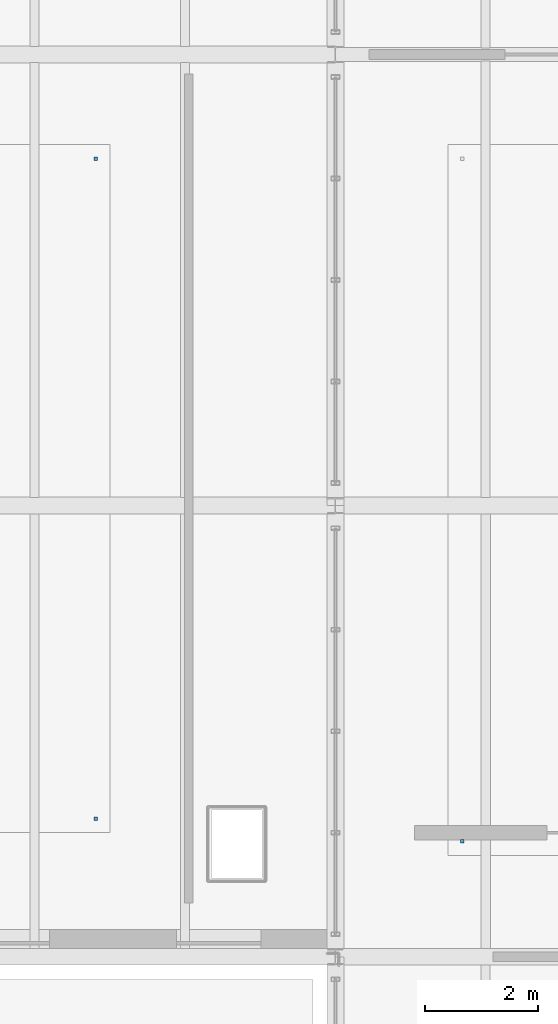
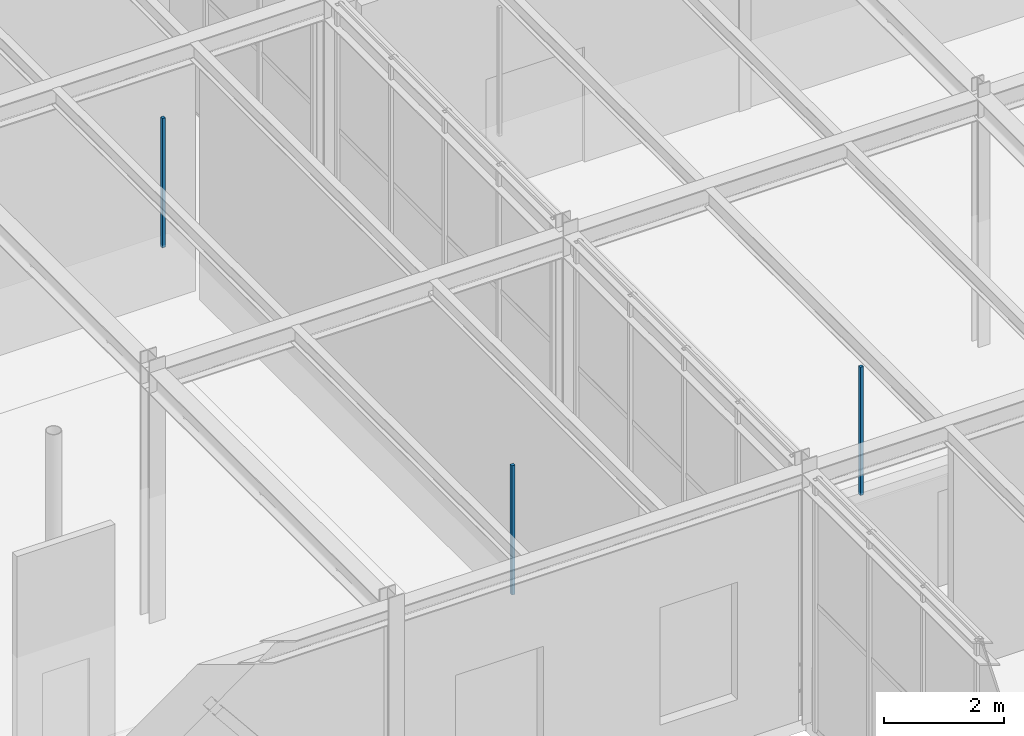
# One storey, part 96 of 129: 3 discrete accessories.
"""IFC4 building model written with IfcOpenShell, lengths in metres."""

from ifc_helpers import new_model, si_unit, direction, frame, origin, origin_2d, place, context, subcontext, project, spatial, rectangle, extrude, material, type_object, element, save


model = new_model("IFC4")

# Units and contexts
model_context = context("Model", 3, precision=1e-05, world=origin(), true_north=direction((0.0, 1.0)))
body_context = subcontext(model_context, "Body", "Model", "MODEL_VIEW")
ifc_project = project(units=[si_unit("LENGTHUNIT", "METRE"), si_unit("AREAUNIT", "SQUARE_METRE"), si_unit("VOLUMEUNIT", "CUBIC_METRE"), si_unit("PLANEANGLEUNIT", "RADIAN"), si_unit("MASSUNIT", "GRAM", prefix="KILO")], contexts=[model_context])

# Site, building, storey
site_placement = place(None, origin())
site = spatial("IfcSite", under=ifc_project, at=site_placement, CompositionType="ELEMENT")
building_placement = place(site_placement, origin())
building = spatial("IfcBuilding", under=site, at=building_placement, Name="Sundkrona Museum", CompositionType="ELEMENT")
storey_placement = place(building_placement, origin())
storey = spatial("IfcBuildingStorey", under=building, at=storey_placement, Name="L00", CompositionType="ELEMENT", Elevation=0.0)

# Discrete accessories
ifc_material = material(Name="Stainless Steel EN 1.4404 Cleat", Category="steel")
discrete_accessory_type = type_object("IfcDiscreteAccessoryType", Name="BRK-FIN-01", PredefinedType="BRACKET", material=ifc_material)
for number, where, z_axis, x_axis, name in (
    (1, (75.75, 80.449951171875, 2.55029296875), (0.0, 0.0, 1.0), (1.0, 0.0, 0.0), "L00 Sculpture Cloister Gallery Ceiling Hanger 2"),
    (2, (75.75, 92.14990234375, 2.55029296875), (0.0, 0.0, 1.0), (1.0, 0.0, 0.0), "L00 Sculpture Cloister Gallery Ceiling Hanger 3"),
):
    element("IfcDiscreteAccessory", number, at=place(storey_placement, frame(where, z_axis=z_axis, x_axis=x_axis)), inside=storey, type_object=discrete_accessory_type, Name=name, PredefinedType="BRACKET", context=body_context, shape_type="SweptSolid", body=[
        extrude(rectangle(XDim=0.06005859375, YDim=0.06005859375, at=origin_2d()), origin(), (0.0, 0.0, 1.0), 2.639892578125),
    ])
discrete_accessory_placement = place(storey_placement, frame((82.25, 80.050048828125, 2.550048828125), z_axis=(0.0, 0.0, 1.0), x_axis=(1.0, 0.0, 0.0)))
element("IfcDiscreteAccessory", 3, at=discrete_accessory_placement, inside=storey, type_object=discrete_accessory_type, Name="L00 Public Natural History Study Room Ceiling Hanger 1", PredefinedType="BRACKET", context=body_context, shape_type="SweptSolid", body=[
    extrude(rectangle(XDim=0.06005859375, YDim=0.06005859375, at=origin_2d()), origin(), (0.0, 0.0, 1.0), 2.6201171875),
])

save(model, "model.ifc")
